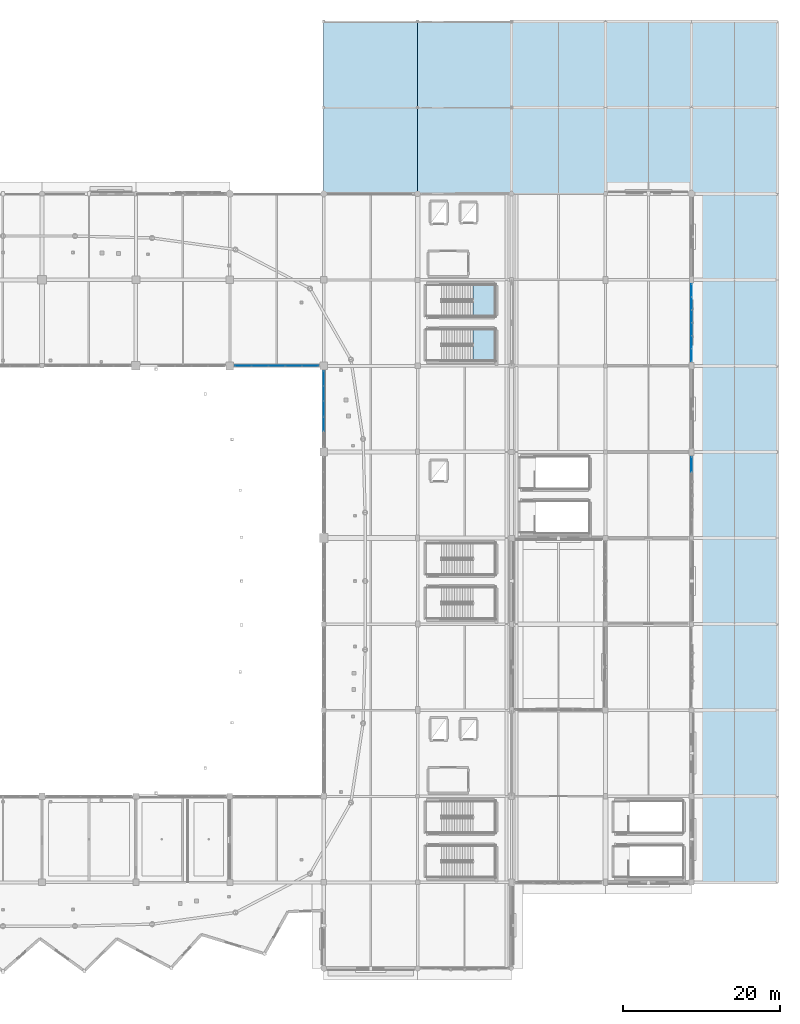
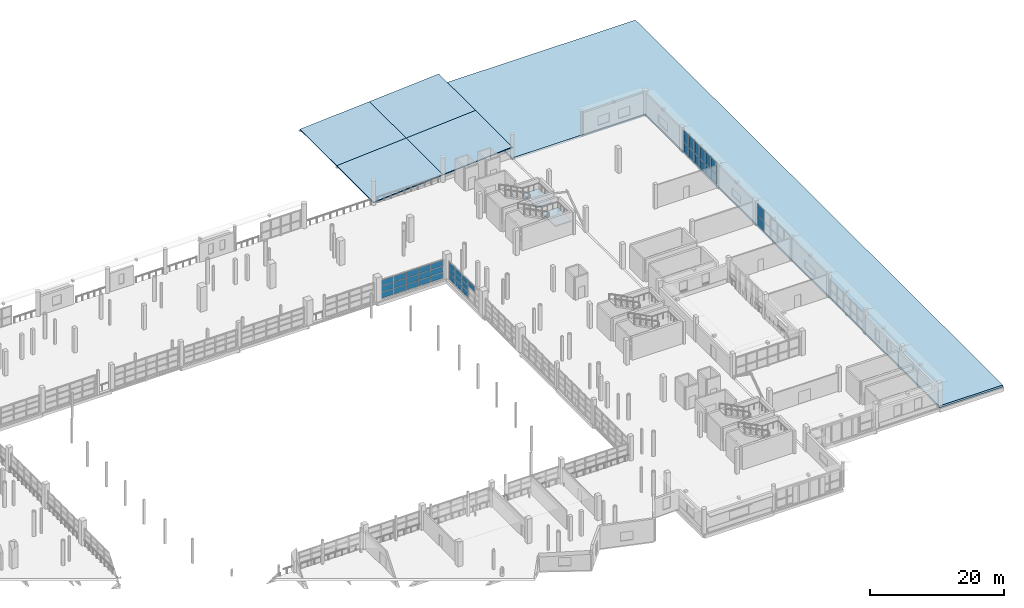
# One storey, part 74 of 118: 39 plates, 7 slabs, 6 elements without a shape of their own.
"""IFC4 building model written with IfcOpenShell, lengths in metres."""

from ifc_helpers import new_model, si_unit, direction, frame, origin, origin_2d, place, context, subcontext, project, spatial, polyline, rectangle, outline, extrude, material, layer, layer_set, type_object, element, aggregate, save


model = new_model("IFC4")

# Units and contexts
model_context = context("Model", 3, precision=1e-05, world=origin(), true_north=direction((0.0, 1.0)))
body_context = subcontext(model_context, "Body", "Model", "MODEL_VIEW")
ifc_project = project(units=[si_unit("LENGTHUNIT", "METRE"), si_unit("AREAUNIT", "SQUARE_METRE"), si_unit("VOLUMEUNIT", "CUBIC_METRE"), si_unit("PLANEANGLEUNIT", "RADIAN"), si_unit("MASSUNIT", "GRAM", prefix="KILO")], contexts=[model_context])

# Site, building, storey
site_placement = place(None, origin())
site = spatial("IfcSite", under=ifc_project, at=site_placement, CompositionType="ELEMENT")
building_placement = place(site_placement, origin())
building = spatial("IfcBuilding", under=site, at=building_placement, Name="Luwafu Chhajja Arena", CompositionType="ELEMENT")
storey_placement = place(building_placement, frame((0.0, 0.0, 10.199951171875)))
storey = spatial("IfcBuildingStorey", under=building, at=storey_placement, Name="L02", CompositionType="ELEMENT", Elevation=10.199951171875)

# Slabs
ifc_material_1 = material(Name="Precast concrete C40/50", Category="concrete")
ifc_layer_1 = layer(ifc_material_1, 0.169921875, Name="Precast concrete C40/50")
ifc_layer_set_1 = layer_set([ifc_layer_1], Name="Precast concrete C40/50")
slab_type_1 = type_object("IfcSlabType", Name="Colonnade Sloped Chhajja Roof Slab 170", PredefinedType="ROOF", material=ifc_layer_set_1)
slab_1_placement = place(storey_placement, frame((140.0, 99.0, 0.35009765625), z_axis=(-0.070644185277, 0.0, 0.997501578488), x_axis=(0.997501578488, 0.0, 0.070644185277)))
element("IfcSlab", 1, at=slab_1_placement, inside=storey, type_object=slab_type_1, Name="L02 Charbagh E Cloister Sloped Roof 12/9", PredefinedType="ROOF", context=body_context, shape_type="SweptSolid", body=[
    extrude(outline(polyline([(0.0, 0.0), (12.030056151075113, 0.0), (12.030056151075113, 11.000000000000002), (0.0, 11.000000000000002), (0.0, 0.0)])), origin(), (0.0, 0.0, -1.0), 0.169921875),
])
slab_2_placement = place(storey_placement, frame((152.0, 99.0, 1.199951171875), z_axis=(-0.070664378174, 0.0, 0.997500148199), x_axis=(0.997500148199, 0.0, 0.070664378174)))
element("IfcSlab", 2, at=slab_2_placement, inside=storey, type_object=slab_type_1, Name="L02 Charbagh E Cloister Sloped Roof 13/9", PredefinedType="ROOF", context=body_context, shape_type="SweptSolid", body=[
    extrude(outline(polyline([(0.0, 0.0), (12.030073400655615, 0.0), (12.030073400655615, 11.0), (0.0, 11.0), (0.0, 0.0)])), origin(), (0.0, 0.0, -1.0), 0.169921875),
])
slab_3_placement = place(storey_placement, frame((140.0, 110.0, 0.35009765625), z_axis=(-0.070644185277, 0.0, 0.997501578488), x_axis=(0.997501578488, 0.0, 0.070644185277)))
element("IfcSlab", 3, at=slab_3_placement, inside=storey, type_object=slab_type_1, Name="L02 Charbagh E Cloister Sloped Roof 12/10", PredefinedType="ROOF", context=body_context, shape_type="SweptSolid", body=[
    extrude(outline(polyline([(0.0, 0.0), (12.030056151075113, 0.0), (12.030056151075113, 11.000000000000002), (0.0, 11.000000000000002), (0.0, 0.0)])), origin(), (0.0, 0.0, -1.0), 0.169921875),
])
slab_4_placement = place(storey_placement, frame((152.0, 110.0, 1.199951171875), z_axis=(-0.070664378174, 0.0, 0.997500148199), x_axis=(0.997500148199, 0.0, 0.070664378174)))
element("IfcSlab", 4, at=slab_4_placement, inside=storey, type_object=slab_type_1, Name="L02 Charbagh E Cloister Sloped Roof 13/10", PredefinedType="ROOF", context=body_context, shape_type="SweptSolid", body=[
    extrude(outline(polyline([(0.0, 0.0), (12.030073400655615, 0.0), (12.030073400655615, 11.0), (0.0, 11.0), (0.0, 0.0)])), origin(), (0.0, 0.0, -1.0), 0.169921875),
])
ifc_material_2 = material(Name="Concrete C35/45", Category="concrete")
ifc_layer_2 = layer(ifc_material_2, 0.360107421875, Name="Concrete C35/45")
ifc_layer_set_2 = layer_set([ifc_layer_2], Name="Concrete C35/45")
slab_type_2 = type_object("IfcSlabType", Name="Core Overrun Structural Roof Cap 360", PredefinedType="ROOF", material=ifc_layer_set_2)
slab_5_placement = place(storey_placement, frame((0.0, 0.0, -0.35986328125)))
element("IfcSlab", 5, at=slab_5_placement, inside=storey, type_object=slab_type_2, Name="L02 Podium Structural Roof Slab 01", PredefinedType="ROOF", context=body_context, shape_type="SweptSolid", body=[
    extrude(outline(polyline([(187.001953125, 99.02001953125), (164.0, 99.02001953125), (164.0, 121.0), (198.0, 121.0), (198.0, 11.0), (187.02001953125, 11.0), (187.02001953125, 99.0), (187.001953125, 99.02001953125)])), origin(), (0.0, 0.0, 1.0), 0.35986328125),
])

# Stair, slab
stair_type = type_object("IfcStairType", Name="Quadrant Protected Dog-Leg Stair 1920", PredefinedType="HALF_TURN_STAIR", material=ifc_material_2)
stair_1_placement = place(storey_placement, origin())
stair_1 = element("IfcStair", 6, at=stair_1_placement, inside=storey, type_object=stair_type, Name="L02 Protected Escape Stair ST-07", PredefinedType="HALF_TURN_STAIR")
ifc_layer_3 = layer(ifc_material_2, 0.199951171875, Name="Concrete C35/45")
ifc_layer_set_3 = layer_set([ifc_layer_3], Name="Concrete C35/45")
slab_type_3 = type_object("IfcSlabType", Name="Escape Stair Landing Slab 200", PredefinedType="LANDING", material=ifc_layer_set_3)
slab_6_placement = place(storey_placement, frame((0.0, 0.0, 2.050048828125)))
slab_6 = element("IfcSlab", 7, at=slab_6_placement, type_object=slab_type_3, Name="ST-07 landing 1", PredefinedType="LANDING", context=body_context, shape_type="SweptSolid", body=[
    extrude(outline(polyline([(159.10009765625, 77.64990234375), (161.89990234375, 77.64990234375), (161.89990234375, 81.68994140625), (159.10009765625, 81.68994140625), (159.10009765625, 77.64990234375)])), origin(), (0.0, 0.0, 1.0), 0.199951171875),
])
aggregate(stair_1, [slab_6])

stair_2_placement = place(storey_placement, origin())
stair_2 = element("IfcStair", 8, at=stair_2_placement, inside=storey, type_object=stair_type, Name="L02 Protected Escape Stair ST-08", PredefinedType="HALF_TURN_STAIR")
slab_7_placement = place(storey_placement, frame((0.0, 0.0, 2.050048828125)))
slab_7 = element("IfcSlab", 9, at=slab_7_placement, type_object=slab_type_3, Name="ST-08 landing 1", PredefinedType="LANDING", context=body_context, shape_type="SweptSolid", body=[
    extrude(outline(polyline([(159.10009765625, 83.31005859375), (161.89990234375, 83.31005859375), (161.89990234375, 87.35009765625), (159.10009765625, 87.35009765625), (159.10009765625, 83.31005859375)])), origin(), (0.0, 0.0, 1.0), 0.199951171875),
])
aggregate(stair_2, [slab_7])

# Curtain wall, plates
ifc_material_3 = material(Name="Anodised bronze aluminium", Category="aluminium")
curtain_wall_type_1 = type_object("IfcCurtainWallType", Name="Hospitality Ring Curtain Wall", PredefinedType="USERDEFINED", material=ifc_material_3)
curtain_wall_1_placement = place(storey_placement, origin())
curtain_wall_1 = element("IfcCurtainWall", 10, at=curtain_wall_1_placement, inside=storey, type_object=curtain_wall_type_1, Name="L02 Curtain Wall CWG-L02-V16_05", ObjectType="CURTAIN WALL", PredefinedType="USERDEFINED")
ifc_material_4 = material(Name="Solar-control laminated glass", Category="glass")
ifc_layer_4 = layer(ifc_material_4, 0.028076171875, Name="Solar-control laminated glass")
ifc_layer_set_4 = layer_set([ifc_layer_4], Name="Solar-control laminated glass")
plate_type = type_object("IfcPlateType", Name="Solar Control Double Glazed CW Panel 28", PredefinedType="CURTAIN_PANEL", material=ifc_layer_set_4)
plate_1_placement = place(storey_placement, frame((187.0, 64.391845703125, 0.094970703125), z_axis=(0.0, 0.0, 1.0), x_axis=(0.0, 1.0, 0.0)))
plate_1 = element("IfcPlate", 11, at=plate_1_placement, type_object=plate_type, Name="CW-02 panel 5.1", PredefinedType="CURTAIN_PANEL", context=body_context, shape_type="SweptSolid", body=[
    extrude(rectangle(XDim=1.906494140625, YDim=0.028076171875, at=origin_2d()), origin(), (0.0, 0.0, 1.0), 1.73779296875),
])
plate_2_placement = place(storey_placement, frame((187.0, 64.391845703125, 1.89794921875), z_axis=(0.0, 0.0, 1.0), x_axis=(0.0, 1.0, 0.0)))
plate_2 = element("IfcPlate", 12, at=plate_2_placement, type_object=plate_type, Name="CW-02 panel 5.2", PredefinedType="CURTAIN_PANEL", context=body_context, shape_type="SweptSolid", body=[
    extrude(rectangle(XDim=1.906494140625, YDim=0.028076171875, at=origin_2d()), origin(), (0.0, 0.0, 1.0), 2.18212890625),
])
aggregate(curtain_wall_1, [plate_1, plate_2])

curtain_wall_type_2 = type_object("IfcCurtainWallType", Name="Charbagh Cloister Curtain Wall", PredefinedType="USERDEFINED", material=ifc_material_3)
curtain_wall_2_placement = place(storey_placement, origin())
curtain_wall_2 = element("IfcCurtainWall", 13, at=curtain_wall_2_placement, inside=storey, type_object=curtain_wall_type_2, Name="L02 Curtain Wall CWG-L02-V16_07", ObjectType="CURTAIN WALL", PredefinedType="USERDEFINED")
plate_3_placement = place(storey_placement, frame((187.0, 78.381591796875, 0.08984375), z_axis=(0.0, 0.0, 1.0), x_axis=(0.0, 1.0, 0.0)))
plate_3 = element("IfcPlate", 14, at=plate_3_placement, type_object=plate_type, Name="CW-06 panel 1.1", PredefinedType="CURTAIN_PANEL", context=body_context, shape_type="SweptSolid", body=[
    extrude(rectangle(XDim=1.563232421875, YDim=0.028076171875, at=origin_2d()), origin(), (0.0, 0.0, 1.0), 1.745361328125),
])
plate_4_placement = place(storey_placement, frame((187.0, 78.381591796875, 1.8955078125), z_axis=(0.0, 0.0, 1.0), x_axis=(0.0, 1.0, 0.0)))
plate_4 = element("IfcPlate", 15, at=plate_4_placement, type_object=plate_type, Name="CW-06 panel 1.2", PredefinedType="CURTAIN_PANEL", context=body_context, shape_type="SweptSolid", body=[
    extrude(rectangle(XDim=1.563232421875, YDim=0.028076171875, at=origin_2d()), origin(), (0.0, 0.0, 1.0), 2.189697265625),
])
plate_5_placement = place(storey_placement, frame((187.0, 80.02001953125, 0.08984375), z_axis=(0.0, 0.0, 1.0), x_axis=(0.0, 1.0, 0.0)))
plate_5 = element("IfcPlate", 16, at=plate_5_placement, type_object=plate_type, Name="CW-06 panel 2.1", PredefinedType="CURTAIN_PANEL", context=body_context, shape_type="SweptSolid", body=[
    extrude(rectangle(XDim=1.59326171875, YDim=0.028076171875, at=origin_2d()), origin(), (0.0, 0.0, 1.0), 1.745361328125),
])
plate_6_placement = place(storey_placement, frame((187.0, 80.02001953125, 1.8955078125), z_axis=(0.0, 0.0, 1.0), x_axis=(0.0, 1.0, 0.0)))
plate_6 = element("IfcPlate", 17, at=plate_6_placement, type_object=plate_type, Name="CW-06 panel 2.2", PredefinedType="CURTAIN_PANEL", context=body_context, shape_type="SweptSolid", body=[
    extrude(rectangle(XDim=1.59326171875, YDim=0.028076171875, at=origin_2d()), origin(), (0.0, 0.0, 1.0), 2.189697265625),
])
plate_7_placement = place(storey_placement, frame((187.0, 81.67333984375, 0.08984375), z_axis=(0.0, 0.0, 1.0), x_axis=(0.0, 1.0, 0.0)))
plate_7 = element("IfcPlate", 18, at=plate_7_placement, type_object=plate_type, Name="CW-06 panel 3.1", PredefinedType="CURTAIN_PANEL", context=body_context, shape_type="SweptSolid", body=[
    extrude(rectangle(XDim=1.59326171875, YDim=0.028076171875, at=origin_2d()), origin(), (0.0, 0.0, 1.0), 1.745361328125),
])
plate_8_placement = place(storey_placement, frame((187.0, 81.67333984375, 1.8955078125), z_axis=(0.0, 0.0, 1.0), x_axis=(0.0, 1.0, 0.0)))
plate_8 = element("IfcPlate", 19, at=plate_8_placement, type_object=plate_type, Name="CW-06 panel 3.2", PredefinedType="CURTAIN_PANEL", context=body_context, shape_type="SweptSolid", body=[
    extrude(rectangle(XDim=1.59326171875, YDim=0.028076171875, at=origin_2d()), origin(), (0.0, 0.0, 1.0), 2.189697265625),
])
plate_9_placement = place(storey_placement, frame((187.0, 83.32666015625, 0.08984375), z_axis=(0.0, 0.0, 1.0), x_axis=(0.0, 1.0, 0.0)))
plate_9 = element("IfcPlate", 20, at=plate_9_placement, type_object=plate_type, Name="CW-06 panel 4.1", PredefinedType="CURTAIN_PANEL", context=body_context, shape_type="SweptSolid", body=[
    extrude(rectangle(XDim=1.59326171875, YDim=0.028076171875, at=origin_2d()), origin(), (0.0, 0.0, 1.0), 1.745361328125),
])
plate_10_placement = place(storey_placement, frame((187.0, 83.32666015625, 1.8955078125), z_axis=(0.0, 0.0, 1.0), x_axis=(0.0, 1.0, 0.0)))
plate_10 = element("IfcPlate", 21, at=plate_10_placement, type_object=plate_type, Name="CW-06 panel 4.2", PredefinedType="CURTAIN_PANEL", context=body_context, shape_type="SweptSolid", body=[
    extrude(rectangle(XDim=1.59326171875, YDim=0.028076171875, at=origin_2d()), origin(), (0.0, 0.0, 1.0), 2.189697265625),
])
plate_11_placement = place(storey_placement, frame((187.0, 84.97998046875, 0.08984375), z_axis=(0.0, 0.0, 1.0), x_axis=(0.0, 1.0, 0.0)))
plate_11 = element("IfcPlate", 22, at=plate_11_placement, type_object=plate_type, Name="CW-06 panel 5.1", PredefinedType="CURTAIN_PANEL", context=body_context, shape_type="SweptSolid", body=[
    extrude(rectangle(XDim=1.59326171875, YDim=0.028076171875, at=origin_2d()), origin(), (0.0, 0.0, 1.0), 1.745361328125),
])
plate_12_placement = place(storey_placement, frame((187.0, 84.97998046875, 1.8955078125), z_axis=(0.0, 0.0, 1.0), x_axis=(0.0, 1.0, 0.0)))
plate_12 = element("IfcPlate", 23, at=plate_12_placement, type_object=plate_type, Name="CW-06 panel 5.2", PredefinedType="CURTAIN_PANEL", context=body_context, shape_type="SweptSolid", body=[
    extrude(rectangle(XDim=1.59326171875, YDim=0.028076171875, at=origin_2d()), origin(), (0.0, 0.0, 1.0), 2.189697265625),
])
plate_13_placement = place(storey_placement, frame((187.0, 86.618408203125, 0.08984375), z_axis=(0.0, 0.0, 1.0), x_axis=(0.0, 1.0, 0.0)))
plate_13 = element("IfcPlate", 24, at=plate_13_placement, type_object=plate_type, Name="CW-06 panel 6.1", PredefinedType="CURTAIN_PANEL", context=body_context, shape_type="SweptSolid", body=[
    extrude(rectangle(XDim=1.563232421875, YDim=0.028076171875, at=origin_2d()), origin(), (0.0, 0.0, 1.0), 1.745361328125),
])
plate_14_placement = place(storey_placement, frame((187.0, 86.618408203125, 1.8955078125), z_axis=(0.0, 0.0, 1.0), x_axis=(0.0, 1.0, 0.0)))
plate_14 = element("IfcPlate", 25, at=plate_14_placement, type_object=plate_type, Name="CW-06 panel 6.2", PredefinedType="CURTAIN_PANEL", context=body_context, shape_type="SweptSolid", body=[
    extrude(rectangle(XDim=1.563232421875, YDim=0.028076171875, at=origin_2d()), origin(), (0.0, 0.0, 1.0), 2.189697265625),
])
aggregate(curtain_wall_2, [plate_3, plate_4, plate_5, plate_6, plate_7, plate_8, plate_9, plate_10, plate_11, plate_12, plate_13, plate_14])

curtain_wall_3_placement = place(storey_placement, origin())
curtain_wall_3 = element("IfcCurtainWall", 26, at=curtain_wall_3_placement, inside=storey, type_object=curtain_wall_type_1, Name="L02 Bowl Viewing Curtain Wall CWR-L02-14", ObjectType="CURTAIN WALL", PredefinedType="USERDEFINED")
plate_15_placement = place(storey_placement, frame((129.730712890625, 77.0, 0.06494140625), z_axis=(0.0, 0.0, 1.0), x_axis=(1.0, 0.0, 0.0)))
plate_15 = element("IfcPlate", 27, at=plate_15_placement, type_object=plate_type, Name="CW-02 panel 1.1", PredefinedType="CURTAIN_PANEL", context=body_context, shape_type="SweptSolid", body=[
    extrude(rectangle(XDim=2.051513671875, YDim=0.028076171875, at=origin_2d()), origin(), (0.0, 0.0, 1.0), 1.052490234375),
])
plate_16_placement = place(storey_placement, frame((129.730712890625, 77.0, 1.1826171875), z_axis=(0.0, 0.0, 1.0), x_axis=(1.0, 0.0, 0.0)))
plate_16 = element("IfcPlate", 28, at=plate_16_placement, type_object=plate_type, Name="CW-02 panel 1.2", PredefinedType="CURTAIN_PANEL", context=body_context, shape_type="SweptSolid", body=[
    extrude(rectangle(XDim=2.051513671875, YDim=0.028076171875, at=origin_2d()), origin(), (0.0, 0.0, 1.0), 1.094970703125),
])
plate_17_placement = place(storey_placement, frame((129.730712890625, 77.0, 2.34228515625), z_axis=(0.0, 0.0, 1.0), x_axis=(1.0, 0.0, 0.0)))
plate_17 = element("IfcPlate", 29, at=plate_17_placement, type_object=plate_type, Name="CW-02 panel 1.3", PredefinedType="CURTAIN_PANEL", context=body_context, shape_type="SweptSolid", body=[
    extrude(rectangle(XDim=2.051513671875, YDim=0.028076171875, at=origin_2d()), origin(), (0.0, 0.0, 1.0), 1.0625),
])
plate_18_placement = place(storey_placement, frame((131.863525390625, 77.0, 0.06494140625), z_axis=(0.0, 0.0, 1.0), x_axis=(1.0, 0.0, 0.0)))
plate_18 = element("IfcPlate", 30, at=plate_18_placement, type_object=plate_type, Name="CW-02 panel 2.1", PredefinedType="CURTAIN_PANEL", context=body_context, shape_type="SweptSolid", body=[
    extrude(rectangle(XDim=2.083984375, YDim=0.028076171875, at=origin_2d()), origin(), (0.0, 0.0, 1.0), 1.052490234375),
])
plate_19_placement = place(storey_placement, frame((131.863525390625, 77.0, 1.1826171875), z_axis=(0.0, 0.0, 1.0), x_axis=(1.0, 0.0, 0.0)))
plate_19 = element("IfcPlate", 31, at=plate_19_placement, type_object=plate_type, Name="CW-02 panel 2.2", PredefinedType="CURTAIN_PANEL", context=body_context, shape_type="SweptSolid", body=[
    extrude(rectangle(XDim=2.083984375, YDim=0.028076171875, at=origin_2d()), origin(), (0.0, 0.0, 1.0), 1.094970703125),
])
plate_20_placement = place(storey_placement, frame((131.863525390625, 77.0, 2.34228515625), z_axis=(0.0, 0.0, 1.0), x_axis=(1.0, 0.0, 0.0)))
plate_20 = element("IfcPlate", 32, at=plate_20_placement, type_object=plate_type, Name="CW-02 panel 2.3", PredefinedType="CURTAIN_PANEL", context=body_context, shape_type="SweptSolid", body=[
    extrude(rectangle(XDim=2.083984375, YDim=0.028076171875, at=origin_2d()), origin(), (0.0, 0.0, 1.0), 1.0625),
])
plate_21_placement = place(storey_placement, frame((134.012451171875, 77.0, 0.06494140625), z_axis=(0.0, 0.0, 1.0), x_axis=(1.0, 0.0, 0.0)))
plate_21 = element("IfcPlate", 33, at=plate_21_placement, type_object=plate_type, Name="CW-02 panel 3.1", PredefinedType="CURTAIN_PANEL", context=body_context, shape_type="SweptSolid", body=[
    extrude(rectangle(XDim=2.083984375, YDim=0.028076171875, at=origin_2d()), origin(), (0.0, 0.0, 1.0), 1.052490234375),
])
plate_22_placement = place(storey_placement, frame((134.012451171875, 77.0, 1.1826171875), z_axis=(0.0, 0.0, 1.0), x_axis=(1.0, 0.0, 0.0)))
plate_22 = element("IfcPlate", 34, at=plate_22_placement, type_object=plate_type, Name="CW-02 panel 3.2", PredefinedType="CURTAIN_PANEL", context=body_context, shape_type="SweptSolid", body=[
    extrude(rectangle(XDim=2.083984375, YDim=0.028076171875, at=origin_2d()), origin(), (0.0, 0.0, 1.0), 1.094970703125),
])
plate_23_placement = place(storey_placement, frame((134.012451171875, 77.0, 2.34228515625), z_axis=(0.0, 0.0, 1.0), x_axis=(1.0, 0.0, 0.0)))
plate_23 = element("IfcPlate", 35, at=plate_23_placement, type_object=plate_type, Name="CW-02 panel 3.3", PredefinedType="CURTAIN_PANEL", context=body_context, shape_type="SweptSolid", body=[
    extrude(rectangle(XDim=2.083984375, YDim=0.028076171875, at=origin_2d()), origin(), (0.0, 0.0, 1.0), 1.0625),
])
plate_24_placement = place(storey_placement, frame((136.16162109375, 77.0, 0.06494140625), z_axis=(0.0, 0.0, 1.0), x_axis=(1.0, 0.0, 0.0)))
plate_24 = element("IfcPlate", 36, at=plate_24_placement, type_object=plate_type, Name="CW-02 panel 4.1", PredefinedType="CURTAIN_PANEL", context=body_context, shape_type="SweptSolid", body=[
    extrude(rectangle(XDim=2.083984375, YDim=0.028076171875, at=origin_2d()), origin(), (0.0, 0.0, 1.0), 1.052490234375),
])
plate_25_placement = place(storey_placement, frame((136.16162109375, 77.0, 1.1826171875), z_axis=(0.0, 0.0, 1.0), x_axis=(1.0, 0.0, 0.0)))
plate_25 = element("IfcPlate", 37, at=plate_25_placement, type_object=plate_type, Name="CW-02 panel 4.2", PredefinedType="CURTAIN_PANEL", context=body_context, shape_type="SweptSolid", body=[
    extrude(rectangle(XDim=2.083984375, YDim=0.028076171875, at=origin_2d()), origin(), (0.0, 0.0, 1.0), 1.094970703125),
])
plate_26_placement = place(storey_placement, frame((136.16162109375, 77.0, 2.34228515625), z_axis=(0.0, 0.0, 1.0), x_axis=(1.0, 0.0, 0.0)))
plate_26 = element("IfcPlate", 38, at=plate_26_placement, type_object=plate_type, Name="CW-02 panel 4.3", PredefinedType="CURTAIN_PANEL", context=body_context, shape_type="SweptSolid", body=[
    extrude(rectangle(XDim=2.083984375, YDim=0.028076171875, at=origin_2d()), origin(), (0.0, 0.0, 1.0), 1.0625),
])
plate_27_placement = place(storey_placement, frame((138.294189453125, 77.0, 0.06494140625), z_axis=(0.0, 0.0, 1.0), x_axis=(1.0, 0.0, 0.0)))
plate_27 = element("IfcPlate", 39, at=plate_27_placement, type_object=plate_type, Name="CW-02 panel 5.1", PredefinedType="CURTAIN_PANEL", context=body_context, shape_type="SweptSolid", body=[
    extrude(rectangle(XDim=2.051513671875, YDim=0.028076171875, at=origin_2d()), origin(), (0.0, 0.0, 1.0), 1.052490234375),
])
plate_28_placement = place(storey_placement, frame((138.294189453125, 77.0, 1.1826171875), z_axis=(0.0, 0.0, 1.0), x_axis=(1.0, 0.0, 0.0)))
plate_28 = element("IfcPlate", 40, at=plate_28_placement, type_object=plate_type, Name="CW-02 panel 5.2", PredefinedType="CURTAIN_PANEL", context=body_context, shape_type="SweptSolid", body=[
    extrude(rectangle(XDim=2.051513671875, YDim=0.028076171875, at=origin_2d()), origin(), (0.0, 0.0, 1.0), 1.094970703125),
])
plate_29_placement = place(storey_placement, frame((138.294189453125, 77.0, 2.34228515625), z_axis=(0.0, 0.0, 1.0), x_axis=(1.0, 0.0, 0.0)))
plate_29 = element("IfcPlate", 41, at=plate_29_placement, type_object=plate_type, Name="CW-02 panel 5.3", PredefinedType="CURTAIN_PANEL", context=body_context, shape_type="SweptSolid", body=[
    extrude(rectangle(XDim=2.051513671875, YDim=0.028076171875, at=origin_2d()), origin(), (0.0, 0.0, 1.0), 1.0625),
])
aggregate(curtain_wall_3, [plate_15, plate_16, plate_17, plate_18, plate_19, plate_20, plate_21, plate_22, plate_23, plate_24, plate_25, plate_26, plate_27, plate_28, plate_29])

curtain_wall_4_placement = place(storey_placement, origin())
curtain_wall_4 = element("IfcCurtainWall", 42, at=curtain_wall_4_placement, inside=storey, type_object=curtain_wall_type_1, Name="L02 Bowl Viewing Curtain Wall CWR-L02-24", ObjectType="CURTAIN WALL", PredefinedType="USERDEFINED")
plate_30_placement = place(storey_placement, frame((140.0, 69.5634765625, 2.277587890625), z_axis=(0.0, 0.0, 1.0), x_axis=(0.0, 1.0, 0.0)))
plate_30 = element("IfcPlate", 43, at=plate_30_placement, type_object=plate_type, Name="CW-02 panel 2.3", PredefinedType="CURTAIN_PANEL", context=body_context, shape_type="SweptSolid", body=[
    extrude(rectangle(XDim=1.884033203125, YDim=0.028076171875, at=origin_2d()), origin(), (0.0, 0.0, 1.0), 0.99755859375),
])
plate_31_placement = place(storey_placement, frame((140.0, 71.512451171875, 0.06494140625), z_axis=(0.0, 0.0, 1.0), x_axis=(0.0, 1.0, 0.0)))
plate_31 = element("IfcPlate", 44, at=plate_31_placement, type_object=plate_type, Name="CW-02 panel 3.1", PredefinedType="CURTAIN_PANEL", context=body_context, shape_type="SweptSolid", body=[
    extrude(rectangle(XDim=1.884033203125, YDim=0.028076171875, at=origin_2d()), origin(), (0.0, 0.0, 1.0), 1.052490234375),
])
plate_32_placement = place(storey_placement, frame((140.0, 71.512451171875, 1.1826171875), z_axis=(0.0, 0.0, 1.0), x_axis=(0.0, 1.0, 0.0)))
plate_32 = element("IfcPlate", 45, at=plate_32_placement, type_object=plate_type, Name="CW-02 panel 3.2", PredefinedType="CURTAIN_PANEL", context=body_context, shape_type="SweptSolid", body=[
    extrude(rectangle(XDim=1.884033203125, YDim=0.028076171875, at=origin_2d()), origin(), (0.0, 0.0, 1.0), 1.030029296875),
])
plate_33_placement = place(storey_placement, frame((140.0, 71.512451171875, 2.277587890625), z_axis=(0.0, 0.0, 1.0), x_axis=(0.0, 1.0, 0.0)))
plate_33 = element("IfcPlate", 46, at=plate_33_placement, type_object=plate_type, Name="CW-02 panel 3.3", PredefinedType="CURTAIN_PANEL", context=body_context, shape_type="SweptSolid", body=[
    extrude(rectangle(XDim=1.884033203125, YDim=0.028076171875, at=origin_2d()), origin(), (0.0, 0.0, 1.0), 0.99755859375),
])
plate_34_placement = place(storey_placement, frame((140.0, 73.46142578125, 0.06494140625), z_axis=(0.0, 0.0, 1.0), x_axis=(0.0, 1.0, 0.0)))
plate_34 = element("IfcPlate", 47, at=plate_34_placement, type_object=plate_type, Name="CW-02 panel 4.1", PredefinedType="CURTAIN_PANEL", context=body_context, shape_type="SweptSolid", body=[
    extrude(rectangle(XDim=1.884033203125, YDim=0.028076171875, at=origin_2d()), origin(), (0.0, 0.0, 1.0), 1.052490234375),
])
plate_35_placement = place(storey_placement, frame((140.0, 73.46142578125, 1.1826171875), z_axis=(0.0, 0.0, 1.0), x_axis=(0.0, 1.0, 0.0)))
plate_35 = element("IfcPlate", 48, at=plate_35_placement, type_object=plate_type, Name="CW-02 panel 4.2", PredefinedType="CURTAIN_PANEL", context=body_context, shape_type="SweptSolid", body=[
    extrude(rectangle(XDim=1.884033203125, YDim=0.028076171875, at=origin_2d()), origin(), (0.0, 0.0, 1.0), 1.030029296875),
])
plate_36_placement = place(storey_placement, frame((140.0, 73.46142578125, 2.277587890625), z_axis=(0.0, 0.0, 1.0), x_axis=(0.0, 1.0, 0.0)))
plate_36 = element("IfcPlate", 49, at=plate_36_placement, type_object=plate_type, Name="CW-02 panel 4.3", PredefinedType="CURTAIN_PANEL", context=body_context, shape_type="SweptSolid", body=[
    extrude(rectangle(XDim=1.884033203125, YDim=0.028076171875, at=origin_2d()), origin(), (0.0, 0.0, 1.0), 0.99755859375),
])
plate_37_placement = place(storey_placement, frame((140.0, 75.394287109375, 0.06494140625), z_axis=(0.0, 0.0, 1.0), x_axis=(0.0, 1.0, 0.0)))
plate_37 = element("IfcPlate", 50, at=plate_37_placement, type_object=plate_type, Name="CW-02 panel 5.1", PredefinedType="CURTAIN_PANEL", context=body_context, shape_type="SweptSolid", body=[
    extrude(rectangle(XDim=1.8515625, YDim=0.028076171875, at=origin_2d()), origin(), (0.0, 0.0, 1.0), 1.052490234375),
])
plate_38_placement = place(storey_placement, frame((140.0, 75.394287109375, 1.1826171875), z_axis=(0.0, 0.0, 1.0), x_axis=(0.0, 1.0, 0.0)))
plate_38 = element("IfcPlate", 51, at=plate_38_placement, type_object=plate_type, Name="CW-02 panel 5.2", PredefinedType="CURTAIN_PANEL", context=body_context, shape_type="SweptSolid", body=[
    extrude(rectangle(XDim=1.8515625, YDim=0.028076171875, at=origin_2d()), origin(), (0.0, 0.0, 1.0), 1.030029296875),
])
plate_39_placement = place(storey_placement, frame((140.0, 75.394287109375, 2.277587890625), z_axis=(0.0, 0.0, 1.0), x_axis=(0.0, 1.0, 0.0)))
plate_39 = element("IfcPlate", 52, at=plate_39_placement, type_object=plate_type, Name="CW-02 panel 5.3", PredefinedType="CURTAIN_PANEL", context=body_context, shape_type="SweptSolid", body=[
    extrude(rectangle(XDim=1.8515625, YDim=0.028076171875, at=origin_2d()), origin(), (0.0, 0.0, 1.0), 0.99755859375),
])
aggregate(curtain_wall_4, [plate_30, plate_31, plate_32, plate_33, plate_34, plate_35, plate_36, plate_37, plate_38, plate_39])

save(model, "model.ifc")
